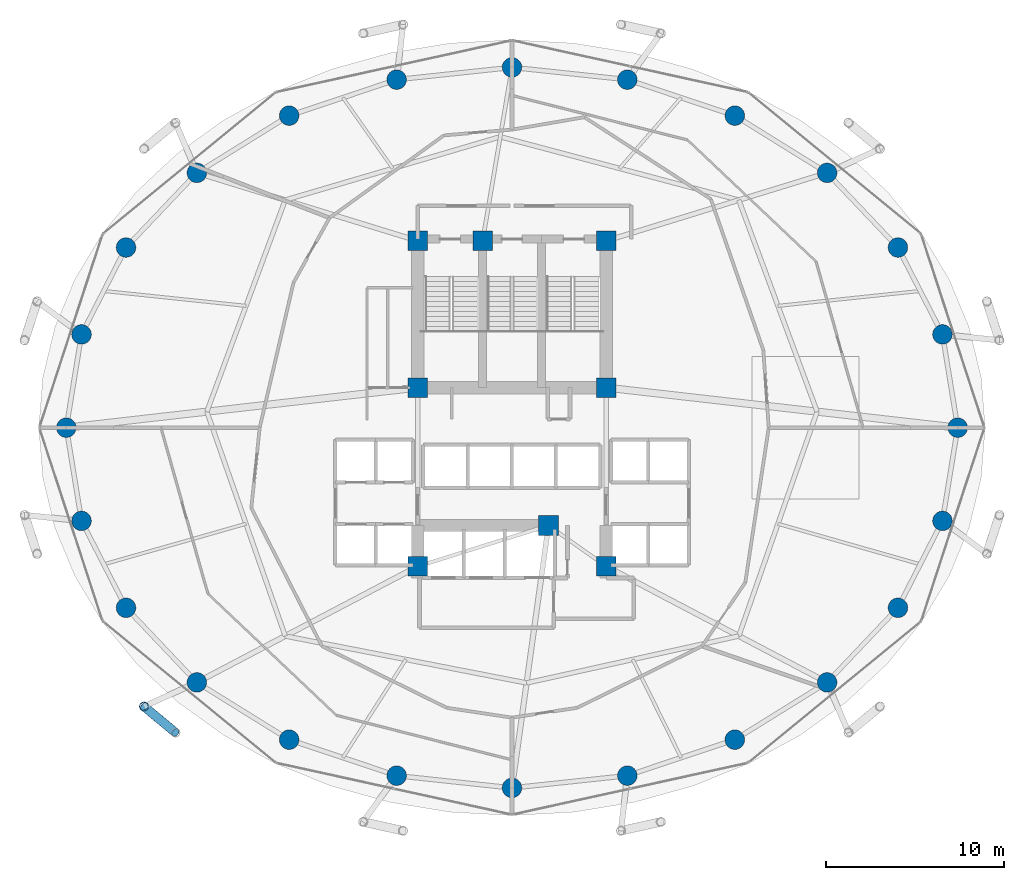
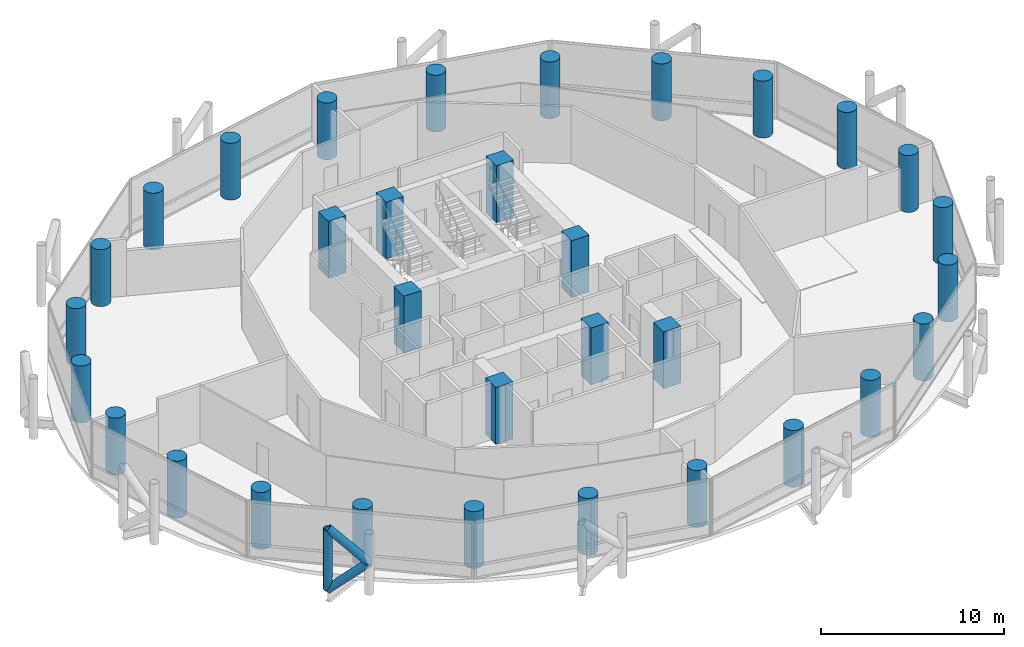
# One storey, part 1 of 24: 32 columns, 3 members.
"""IFC4 building model written with IfcOpenShell, lengths in metres."""

from ifc_helpers import new_model, si_unit, direction, frame, origin, origin_2d, place, context, subcontext, project, spatial, rectangle, circle, hollow_circle, extrude, material, material_profile, profile_set, type_object, element, save


model = new_model("IFC4")

# Units and contexts
model_context = context("Model", 3, precision=1e-05, world=origin(), true_north=direction((0.0, 1.0)))
body_context = subcontext(model_context, "Body", "Model", "MODEL_VIEW")
ifc_project = project(units=[si_unit("LENGTHUNIT", "METRE"), si_unit("AREAUNIT", "SQUARE_METRE"), si_unit("VOLUMEUNIT", "CUBIC_METRE"), si_unit("PLANEANGLEUNIT", "RADIAN"), si_unit("MASSUNIT", "GRAM", prefix="KILO")], contexts=[model_context])

# Site, building, storey
site_placement = place(None, origin())
site = spatial("IfcSite", under=ifc_project, at=site_placement, CompositionType="ELEMENT")
building_placement = place(site_placement, origin())
building = spatial("IfcBuilding", under=site, at=building_placement, Name="Nuhasar Tower", CompositionType="ELEMENT")
storey_placement = place(building_placement, frame((0.0, 0.0, 69.60009765625)))
storey = spatial("IfcBuildingStorey", under=building, at=storey_placement, Name="L16", CompositionType="ELEMENT", Elevation=69.60009765625)

# Columns
ifc_material_1 = material(Name="Concrete C80/95", Category="concrete")
ifc_material_profile_1 = material_profile(ifc_material_1, circle(Radius=0.550048828125, at=origin_2d()), Name="CFT1100")
ifc_profile_set_1 = profile_set([ifc_material_profile_1], Name="Concrete C80/95")
column_type_1 = type_object("IfcColumnType", Name="COL-CFT-1100", PredefinedType="COLUMN", material=ifc_profile_set_1)
for number, where, z_axis, x_axis, name in (
    (1, (64.050048828125, 26.800048828125, 0.0), (0.0, 0.0, 1.0), (1.0, 0.0, 0.0), "L16 Perimeter Composite Column TC-01"),
    (2, (63.196044921875, 32.041015625, 0.0), (0.0, 0.0, 1.0), (1.0, 0.0, 0.0), "L16 Perimeter Composite Column TC-02"),
    (3, (60.694091796875, 36.925048828125, 0.0), (0.0, 0.0, 1.0), (1.0, 0.0, 0.0), "L16 Perimeter Composite Column TC-03"),
    (4, (56.712890625, 41.118896484375, 0.0), (0.0, 0.0, 1.0), (1.0, 0.0, 0.0), "L16 Perimeter Composite Column TC-04"),
    (5, (51.52490234375, 44.3369140625, 0.0), (0.0, 0.0, 1.0), (1.0, 0.0, 0.0), "L16 Perimeter Composite Column TC-05"),
    (6, (45.48291015625, 46.360107421875, 0.0), (0.0, 0.0, 1.0), (1.0, 0.0, 0.0), "L16 Perimeter Composite Column TC-06"),
    (7, (39.0, 47.050048828125, 0.0), (0.0, 0.0, 1.0), (1.0, 0.0, 0.0), "L16 Perimeter Composite Column TC-07"),
    (8, (32.51708984375, 46.360107421875, 0.0), (0.0, 0.0, 1.0), (1.0, 0.0, 0.0), "L16 Perimeter Composite Column TC-08"),
    (9, (26.47509765625, 44.3369140625, 0.0), (0.0, 0.0, 1.0), (1.0, 0.0, 0.0), "L16 Perimeter Composite Column TC-09"),
    (10, (21.287109375, 41.118896484375, 0.0), (0.0, 0.0, 1.0), (1.0, 0.0, 0.0), "L16 Perimeter Composite Column TC-10"),
    (11, (17.305908203125, 36.925048828125, 0.0), (0.0, 0.0, 1.0), (1.0, 0.0, 0.0), "L16 Perimeter Composite Column TC-11"),
    (12, (14.803955078125, 32.041015625, 0.0), (0.0, 0.0, 1.0), (1.0, 0.0, 0.0), "L16 Perimeter Composite Column TC-12"),
    (13, (13.949951171875, 26.800048828125, 0.0), (0.0, 0.0, 1.0), (1.0, 0.0, 0.0), "L16 Perimeter Composite Column TC-13"),
    (14, (14.803955078125, 21.55908203125, 0.0), (0.0, 0.0, 1.0), (1.0, 0.0, 0.0), "L16 Perimeter Composite Column TC-14"),
    (15, (17.305908203125, 16.675048828125, 0.0), (0.0, 0.0, 1.0), (1.0, 0.0, 0.0), "L16 Perimeter Composite Column TC-15"),
    (16, (21.287109375, 12.48095703125, 0.0), (0.0, 0.0, 1.0), (1.0, 0.0, 0.0), "L16 Perimeter Composite Column TC-16"),
    (17, (26.47509765625, 9.262939453125, 0.0), (0.0, 0.0, 1.0), (1.0, 0.0, 0.0), "L16 Perimeter Composite Column TC-17"),
    (18, (32.51708984375, 7.239990234375, 0.0), (0.0, 0.0, 1.0), (1.0, 0.0, 0.0), "L16 Perimeter Composite Column TC-18"),
    (19, (39.0, 6.550048828125, 0.0), (0.0, 0.0, 1.0), (1.0, 0.0, 0.0), "L16 Perimeter Composite Column TC-19"),
    (20, (45.48291015625, 7.239990234375, 0.0), (0.0, 0.0, 1.0), (1.0, 0.0, 0.0), "L16 Perimeter Composite Column TC-20"),
    (21, (51.52490234375, 9.262939453125, 0.0), (0.0, 0.0, 1.0), (1.0, 0.0, 0.0), "L16 Perimeter Composite Column TC-21"),
    (22, (56.712890625, 12.48095703125, 0.0), (0.0, 0.0, 1.0), (1.0, 0.0, 0.0), "L16 Perimeter Composite Column TC-22"),
    (23, (60.694091796875, 16.675048828125, 0.0), (0.0, 0.0, 1.0), (1.0, 0.0, 0.0), "L16 Perimeter Composite Column TC-23"),
    (24, (63.196044921875, 21.55908203125, 0.0), (0.0, 0.0, 1.0), (1.0, 0.0, 0.0), "L16 Perimeter Composite Column TC-24"),
):
    element("IfcColumn", number, at=place(storey_placement, frame(where, z_axis=z_axis, x_axis=x_axis)), inside=storey, type_object=column_type_1, Name=name, PredefinedType="COLUMN", context=body_context, shape_type="SweptSolid", body=[
        extrude(circle(Radius=0.550048828125, at=origin_2d()), origin(), (0.0, 0.0, 1.0), 3.7998046875),
    ])
ifc_material_profile_2 = material_profile(ifc_material_1, rectangle(XDim=1.10009765625, YDim=1.10009765625, at=origin_2d()), Name="RC1100X1100")
ifc_profile_set_2 = profile_set([ifc_material_profile_2], Name="Concrete C80/95")
column_type_2 = type_object("IfcColumnType", Name="PIL-RC-1100", PredefinedType="PILASTER", material=ifc_profile_set_2)
for number, where, z_axis, x_axis, name in (
    (25, (33.699951171875, 19.0, 0.0), (0.0, 0.0, 1.0), (1.0, 0.0, 0.0), "L16 Core Boundary Pilaster CC-01"),
    (26, (41.050048828125, 21.300048828125, 0.0), (0.0, 0.0, 1.0), (1.0, 0.0, 0.0), "L16 Core Boundary Pilaster CC-02"),
    (27, (44.300048828125, 19.0, 0.0), (0.0, 0.0, 1.0), (1.0, 0.0, 0.0), "L16 Core Boundary Pilaster CC-03"),
    (28, (44.300048828125, 29.050048828125, 0.0), (0.0, 0.0, 1.0), (1.0, 0.0, 0.0), "L16 Core Boundary Pilaster CC-04"),
    (29, (44.300048828125, 37.300048828125, 0.0), (0.0, 0.0, 1.0), (1.0, 0.0, 0.0), "L16 Core Boundary Pilaster CC-05"),
    (30, (37.35009765625, 37.300048828125, 0.0), (0.0, 0.0, 1.0), (1.0, 0.0, 0.0), "L16 Core Boundary Pilaster CC-06"),
    (31, (33.699951171875, 37.300048828125, 0.0), (0.0, 0.0, 1.0), (1.0, 0.0, 0.0), "L16 Core Boundary Pilaster CC-07"),
    (32, (33.699951171875, 29.050048828125, 0.0), (0.0, 0.0, 1.0), (1.0, 0.0, 0.0), "L16 Core Boundary Pilaster CC-08"),
):
    element("IfcColumn", number, at=place(storey_placement, frame(where, z_axis=z_axis, x_axis=x_axis)), inside=storey, type_object=column_type_2, Name=name, PredefinedType="PILASTER", context=body_context, shape_type="SweptSolid", body=[
        extrude(rectangle(XDim=1.10009765625, YDim=1.10009765625, at=origin_2d()), origin(), (0.0, 0.0, 1.0), 3.7998046875),
    ])

# Members
ifc_material_2 = material(Name="Steel S460", Category="steel")
ifc_material_profile_3 = material_profile(ifc_material_2, hollow_circle(Radius=0.25390625, WallThickness=0.025390625, at=origin_2d()), Name="HSS508X25.4")
ifc_profile_set_3 = profile_set([ifc_material_profile_3], Name="Steel S460")
member_type = type_object("IfcMemberType", Name="EXO-BRONZE-508", PredefinedType="BRACE", material=ifc_profile_set_3)
member_placement = place(storey_placement, frame((18.31494140625, 11.12890625, 0.0), z_axis=(0.0, 0.0, 1.0), x_axis=(1.0, 0.0, 0.0)))
element("IfcMember", 33, at=member_placement, inside=storey, type_object=member_type, Name="L16 Exoskeleton Chord Column EC-08A", PredefinedType="BRACE", context=body_context, shape_type="SweptSolid", body=[
    extrude(hollow_circle(Radius=0.25390625, WallThickness=0.025390625, at=origin_2d()), origin(), (0.0, 0.0, 1.0), 4.0498046875),
])
for number, where, z_axis, x_axis, name in (
    (34, (18.31494140625, 11.12890625, 0.0), (0.578101613167, -0.478937034992, 0.660619286251), (0.637969333506, 0.770061769929, 0.0), "L16 Bronze Diagrid Brace W1-08"),
    (35, (20.0869140625, 9.660888671875, 2.02490234375), (-0.578101613167, 0.478937034992, 0.660619286251), (-0.637969333506, -0.770061769929, 0.0), "L16 Bronze Diagrid Brace W2-08"),
):
    element("IfcMember", number, at=place(storey_placement, frame(where, z_axis=z_axis, x_axis=x_axis)), inside=storey, type_object=member_type, Name=name, PredefinedType="BRACE", context=body_context, shape_type="SweptSolid", body=[
        extrude(hollow_circle(Radius=0.25390625, WallThickness=0.025390625, at=origin_2d()), origin(), (0.0, 0.0, 1.0), 3.065185546875),
    ])

save(model, "model.ifc")
